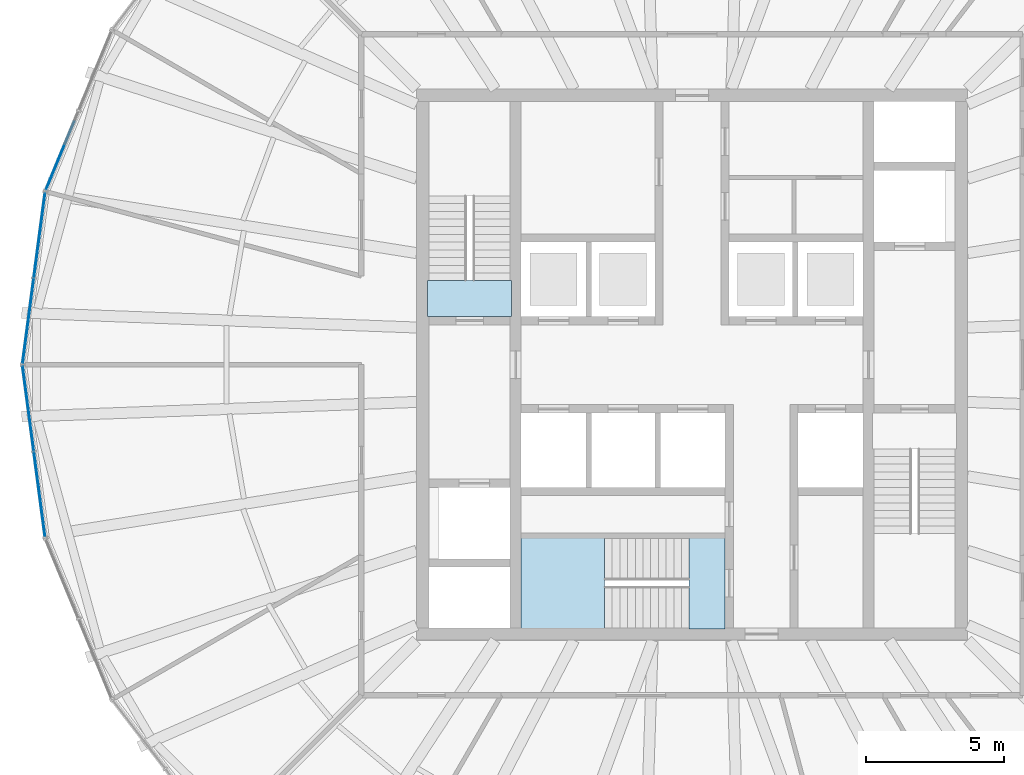
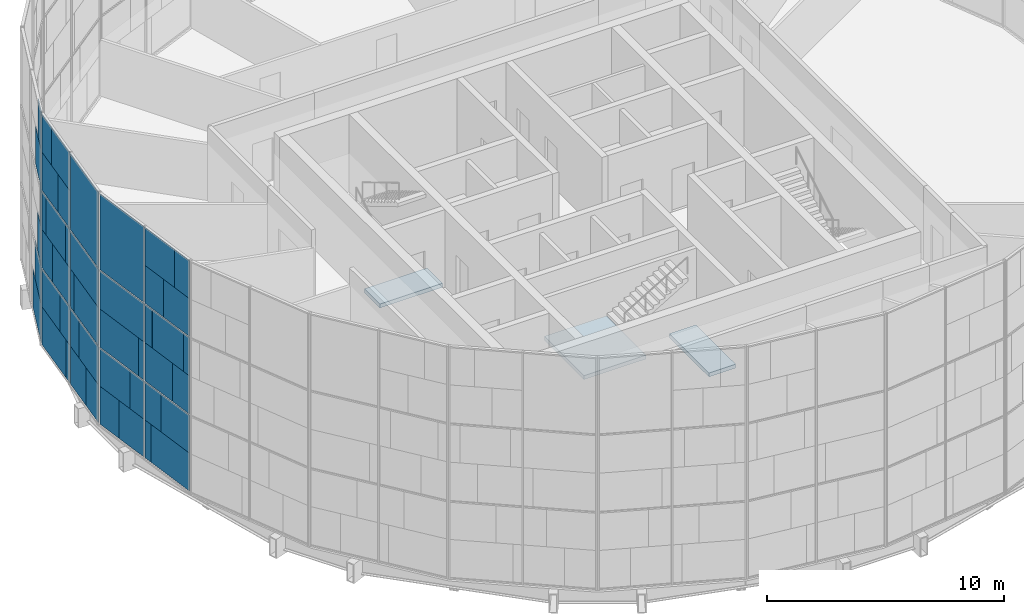
# One storey, part 11 of 22: 48 plates, 3 slabs, 4 elements without a shape of their own.
"""IFC4 building model written with IfcOpenShell, lengths in metres."""

import ifcopenshell
import ifcopenshell.guid

model = None  # the IFC model being written
_history = None  # IfcOwnerHistory: only IFC2X3 demands one
_inside = {}  # id of a spatial element -> (the spatial element, [elements in it])
_under = {}  # id of a project, library or spatial element -> (it, [spatial elements below it])
_declared = {}  # id of a project -> (the project, [libraries it declares])
_typed = {}  # id of a type object -> (the type object, [elements of that type])
_made_of = {}  # id of a material, layer set ... -> (it, [elements and type objects made of it])


def new_model(schema):
    """Start an empty IFC model of exactly this schema.

    Asked for "IFC4X3", IfcOpenShell would pick the latest addendum, in which some entities
    have other attributes; the version numbers below select the first issue.
    IFC2X3 requires an IfcOwnerHistory on every rooted entity: one is made here for all.
    """
    global model, _history
    if schema == "IFC4X3":
        model = ifcopenshell.file(schema_version=(4, 3, 0, 0))
    else:
        model = ifcopenshell.file(schema=schema)
    _inside.clear()
    _under.clear()
    _declared.clear()
    _typed.clear()
    _made_of.clear()
    _history = None
    if model.schema == "IFC2X3":
        org = make("IfcOrganization", Name="unknown")
        user = make(
            "IfcPersonAndOrganization",
            ThePerson=make("IfcPerson", FamilyName="unknown"),
            TheOrganization=org,
        )
        app = make(
            "IfcApplication",
            ApplicationDeveloper=org,
            Version="unknown",
            ApplicationFullName="unknown",
            ApplicationIdentifier="unknown",
        )
        _history = make(
            "IfcOwnerHistory",
            OwningUser=user,
            OwningApplication=app,
            ChangeAction="ADDED",
            CreationDate=0,
        )
    return model


def make(cls, **values):
    """One entity of the class cls with the attributes given. An attribute that is None is left unset."""
    return model.create_entity(
        cls, **{name: value for name, value in values.items() if value is not None}
    )


def rooted(cls, **values):
    """An entity with a GlobalId (a new one), such as an element, a storey or a relation."""
    return make(cls, GlobalId=ifcopenshell.guid.new(), OwnerHistory=_history, **values)


def si_unit(unit_type, name, prefix=None):
    """IfcSIUnit, for example si_unit("LENGTHUNIT", "METRE", prefix="MILLI")."""
    return make("IfcSIUnit", UnitType=unit_type, Prefix=prefix, Name=name)


def assignment(units):
    """IfcUnitAssignment: the units of a project."""
    return None if units is None else make("IfcUnitAssignment", Units=units)


def point(xyz):
    """IfcCartesianPoint."""
    return None if xyz is None else make("IfcCartesianPoint", Coordinates=xyz)


def direction(xyz):
    """IfcDirection."""
    return None if xyz is None else make("IfcDirection", DirectionRatios=xyz)


def frame(location, z_axis=None, x_axis=None):
    """IfcAxis2Placement3D, a coordinate frame: its origin and axes. An axis left out is left unset."""
    return make(
        "IfcAxis2Placement3D",
        Location=point(location),
        Axis=direction(z_axis),
        RefDirection=direction(x_axis),
    )


def frame_2d(location, x_axis=None):
    """IfcAxis2Placement2D, a coordinate frame in the plane: its origin and x axis."""
    return make(
        "IfcAxis2Placement2D", Location=point(location), RefDirection=direction(x_axis)
    )


def origin():
    """The frame at (0, 0, 0) with its axes left unset."""
    return frame((0.0, 0.0, 0.0))


def origin_2d():
    """The frame at (0, 0) in the plane with its x axis left unset."""
    return frame_2d((0.0, 0.0))


def place(relative_to, where):
    """IfcLocalPlacement: puts the frame where relative to a parent placement (None: the world)."""
    return make(
        "IfcLocalPlacement", PlacementRelTo=relative_to, RelativePlacement=where
    )


def context(
    kind, dimensions, precision=None, world=None, true_north=None, identifier=None
):
    """IfcGeometricRepresentationContext, for example the 3D "Model" context."""
    return make(
        "IfcGeometricRepresentationContext",
        ContextIdentifier=identifier,
        ContextType=kind,
        CoordinateSpaceDimension=dimensions,
        Precision=precision,
        WorldCoordinateSystem=world,
        TrueNorth=true_north,
    )


def subcontext(parent, identifier, kind, view, scale=None):
    """IfcGeometricRepresentationSubContext, for example "Body" below "Model"."""
    return make(
        "IfcGeometricRepresentationSubContext",
        ContextIdentifier=identifier,
        ContextType=kind,
        ParentContext=parent,
        TargetScale=scale,
        TargetView=view,
    )


def project(units=None, contexts=None):
    """IfcProject with its units and contexts."""
    return rooted(
        "IfcProject",
        Name="project",
        RepresentationContexts=contexts,
        UnitsInContext=assignment(units),
    )


def spatial(cls, under=None, at=None, **own):
    """A site, building, storey or space (cls), placed at a placement, below another one or the project."""
    s = rooted(cls, ObjectPlacement=at, **own)
    if under is not None:
        _under.setdefault(under.id(), (under, []))[1].append(s)
    return s


def polyline(points):
    """IfcPolyline through the points."""
    return make("IfcPolyline", Points=[point(p) for p in points])


def profile(cls, at=None, kind="AREA", **sizes):
    """A parametric profile (cls). Its sizes go by their IFC names, for example OverallWidth=200.0."""
    return make(cls, ProfileType=kind, Position=at, **sizes)


def rectangle(**sizes):
    """IfcRectangleProfileDef."""
    return profile("IfcRectangleProfileDef", **sizes)


def outline(outer, holes=None, kind="AREA"):
    """IfcArbitraryClosedProfileDef: a profile drawn as a closed curve; with holes, ...WithVoids."""
    if holes is None:
        return make("IfcArbitraryClosedProfileDef", ProfileType=kind, OuterCurve=outer)
    return make(
        "IfcArbitraryProfileDefWithVoids",
        ProfileType=kind,
        OuterCurve=outer,
        InnerCurves=holes,
    )


def extrude(swept, where, along, depth):
    """IfcExtrudedAreaSolid: the profile swept, set in the frame where, extruded along a direction by depth."""
    return make(
        "IfcExtrudedAreaSolid",
        SweptArea=swept,
        Position=where,
        ExtrudedDirection=direction(along),
        Depth=depth,
    )


def shape(context_of_items, identifier, shape_type, items):
    """IfcShapeRepresentation: the items that make up one representation, for example the "Body"."""
    return make(
        "IfcShapeRepresentation",
        ContextOfItems=context_of_items,
        RepresentationIdentifier=identifier,
        RepresentationType=shape_type,
        Items=items,
    )


def material(Name=None, Category=None):
    """IfcMaterial."""
    return make("IfcMaterial", Name=Name, Category=Category)


def layer(
    of_material, thickness, ventilated=None, Name=None, Category=None, Priority=None
):
    """IfcMaterialLayer: one layer of a wall or slab, of a material (None: an air gap)."""
    return make(
        "IfcMaterialLayer",
        Material=of_material,
        LayerThickness=thickness,
        IsVentilated=ventilated,
        Name=Name,
        Category=Category,
        Priority=Priority,
    )


def layer_set(layers, Name=None):
    """IfcMaterialLayerSet."""
    return make("IfcMaterialLayerSet", MaterialLayers=layers, LayerSetName=Name)


def made_of(thing, what):
    """Note that an element or type object is made of a material, layer set ...; save() writes the relation."""
    if what is not None:
        _made_of.setdefault(what.id(), (what, []))[1].append(thing)
    return thing


def type_object(cls, material=None, **own):
    """A type object (cls), such as IfcWallType, which elements share."""
    return made_of(rooted(cls, **own), material)


def element(
    cls,
    number,
    at=None,
    inside=None,
    cuts=None,
    type_object=None,
    material=None,
    context=None,
    identifier="Body",
    shape_type=None,
    held_by="IfcProductDefinitionShape",
    body=None,
    shapes=None,
    **own,
):
    """One element of the class cls, such as IfcWall. Its Tag is "e" and its number.

    at: its placement. inside: the storey or other place that contains it. cuts: it is an
    opening in that element (IfcRelVoidsElement). A single representation is given by context,
    identifier, shape_type and body (its items); several are given by shapes. held_by: the class
    of the entity that holds the representations. save() writes the other relations.
    """
    e = rooted(cls, Tag="e%d" % number, ObjectPlacement=at, **own)
    if body is not None:
        shapes = [shape(context, identifier, shape_type, body)]
    if shapes is not None:
        e.Representation = make(held_by, Representations=shapes)
    if inside is not None:
        _inside.setdefault(inside.id(), (inside, []))[1].append(e)
    if cuts is not None:
        rooted(
            "IfcRelVoidsElement", RelatingBuildingElement=cuts, RelatedOpeningElement=e
        )
    if type_object is not None:
        _typed.setdefault(type_object.id(), (type_object, []))[1].append(e)
    return made_of(e, material)


def aggregate(whole, parts):
    """IfcRelAggregates: a whole, such as a stair, and the parts it consists of."""
    return rooted("IfcRelAggregates", RelatingObject=whole, RelatedObjects=parts)


def save(model, path):
    """Write the relations noted so far, then the file.

    IfcRelAggregates (storeys below a building ...), IfcRelContainedInSpatialStructure (elements
    in a storey), IfcRelDefinesByType, IfcRelAssociatesMaterial and IfcRelDeclares: one each for
    every whole, place, type object, material and project.
    """
    for whole, parts in _under.values():
        aggregate(whole, parts)
    for where, things in _inside.values():
        rooted(
            "IfcRelContainedInSpatialStructure",
            RelatedElements=things,
            RelatingStructure=where,
        )
    for kind, things in _typed.values():
        rooted("IfcRelDefinesByType", RelatedObjects=things, RelatingType=kind)
    for what, things in _made_of.values():
        rooted("IfcRelAssociatesMaterial", RelatedObjects=things, RelatingMaterial=what)
    for by, libraries in _declared.values():
        rooted("IfcRelDeclares", RelatingContext=by, RelatedDefinitions=libraries)
    model.write(path)


model = new_model("IFC4")

# Units and contexts
model_context = context("Model", 3, precision=1e-05, world=origin(), true_north=direction((0.0, 1.0)))
body_context = subcontext(model_context, "Body", "Model", "MODEL_VIEW")
ifc_project = project(units=[si_unit("LENGTHUNIT", "METRE"), si_unit("AREAUNIT", "SQUARE_METRE"), si_unit("VOLUMEUNIT", "CUBIC_METRE"), si_unit("PLANEANGLEUNIT", "RADIAN"), si_unit("MASSUNIT", "GRAM", prefix="KILO")], contexts=[model_context])

# Site, building, storey
site_placement = place(None, origin())
site = spatial("IfcSite", under=ifc_project, at=site_placement, CompositionType="ELEMENT")
building_placement = place(site_placement, origin())
building = spatial("IfcBuilding", under=site, at=building_placement, Name="Golbaran Civic Tower", CompositionType="ELEMENT")
storey_placement = place(building_placement, frame((0.0, 0.0, 155.0)))
storey = spatial("IfcBuildingStorey", under=building, at=storey_placement, Name="L37", CompositionType="ELEMENT", Elevation=155.0)

# Curtain wall, plates
ifc_material_1 = material(Name="Aluminium and glass", Category="aluminium")
curtain_wall_type = type_object("IfcCurtainWallType", Name="INNER SKIN CURTAIN WALL", PredefinedType="NOTDEFINED", material=ifc_material_1)
curtain_wall_1_placement = place(storey_placement, origin())
curtain_wall_1 = element("IfcCurtainWall", 1, at=curtain_wall_1_placement, inside=storey, type_object=curtain_wall_type, Name="Inner skin L37 facet 11 CW1", ObjectType="INNER SKIN", PredefinedType="USERDEFINED")
ifc_material_2 = material(Name="Clear insulating glass", Category="glass")
ifc_layer_1 = layer(ifc_material_2, 0.031982421875, Name="Clear insulating glass")
ifc_layer_set_1 = layer_set([ifc_layer_1], Name="Clear insulating glass")
plate_type_1 = type_object("IfcPlateType", Name="INNER SKIN CURTAIN WALL GLAZED PANEL", PredefinedType="CURTAIN_PANEL", material=ifc_layer_set_1)
plate_1_placement = place(storey_placement, frame((-22.9375, 7.5849609375, 0.06494140625), z_axis=(0.0, 0.0, 1.0), x_axis=(-0.382683432268, -0.923879532551, 0.0)))
plate_1 = element("IfcPlate", 2, at=plate_1_placement, type_object=plate_type_1, Name="CW1 panel 2.1 part 2", PredefinedType="CURTAIN_PANEL", context=body_context, shape_type="SweptSolid", body=[
    extrude(rectangle(XDim=2.673583984375, YDim=0.031982421875, at=origin_2d()), origin(), (0.0, 0.0, 1.0), 1.951171875),
])
plate_2_placement = place(storey_placement, frame((-23.0732421875, 7.25732421875, 2.016357421875), z_axis=(0.0, 0.0, 1.0), x_axis=(-0.382683432268, -0.923879532551, 0.0)))
plate_2 = element("IfcPlate", 3, at=plate_2_placement, type_object=plate_type_1, Name="CW1 panel 2.1 part 4", PredefinedType="CURTAIN_PANEL", context=body_context, shape_type="SweptSolid", body=[
    extrude(rectangle(XDim=1.964599609375, YDim=0.031982421875, at=origin_2d()), origin(), (0.0, 0.0, 1.0), 1.951171875),
])
plate_3_placement = place(storey_placement, frame((-23.223388671875, 6.894775390625, 4.03271484375), z_axis=(0.0, 0.0, 1.0), x_axis=(-0.382683432268, -0.923879532551, 0.0)))
plate_3 = element("IfcPlate", 4, at=plate_3_placement, type_object=plate_type_1, Name="CW1 panel 2.2 part 2", PredefinedType="CURTAIN_PANEL", context=body_context, shape_type="SweptSolid", body=[
    extrude(rectangle(XDim=1.179443359375, YDim=0.031982421875, at=origin_2d()), origin(), (0.0, 0.0, 1.0), 1.967529296875),
])
plate_4_placement = place(storey_placement, frame((-23.368896484375, 6.543701171875, 6.0), z_axis=(0.0, 0.0, 1.0), x_axis=(-0.382683432268, -0.923879532551, 0.0)))
plate_4 = element("IfcPlate", 5, at=plate_4_placement, type_object=plate_type_1, Name="CW1 panel 2.2 part 5", PredefinedType="CURTAIN_PANEL", context=body_context, shape_type="SweptSolid", body=[
    extrude(rectangle(XDim=0.41943359375, YDim=0.031982421875, at=origin_2d()), origin(), (0.0, 0.0, 1.0), 1.967529296875),
])

curtain_wall_2_placement = place(storey_placement, origin())
curtain_wall_2 = element("IfcCurtainWall", 6, at=curtain_wall_2_placement, inside=storey, type_object=curtain_wall_type, Name="Inner skin L37 facet 12 CW1", ObjectType="INNER SKIN", PredefinedType="USERDEFINED")
plate_5_placement = place(storey_placement, frame((-23.656982421875, 4.900390625, 0.06494140625), z_axis=(0.0, 0.0, 1.0), x_axis=(-0.130526192289, -0.991444861365, 0.0)))
plate_5 = element("IfcPlate", 7, at=plate_5_placement, type_object=plate_type_1, Name="CW1 panel 1.1 part 1", PredefinedType="CURTAIN_PANEL", context=body_context, shape_type="SweptSolid", body=[
    extrude(rectangle(XDim=2.673095703125, YDim=0.031982421875, at=origin_2d()), origin(), (0.0, 0.0, 1.0), 1.951171875),
])
plate_6_placement = place(storey_placement, frame((-23.610595703125, 5.251708984375, 2.016357421875), z_axis=(0.0, 0.0, 1.0), x_axis=(-0.130526192289, -0.991444861365, 0.0)))
plate_6 = element("IfcPlate", 8, at=plate_6_placement, type_object=plate_type_1, Name="CW1 panel 1.1 part 3", PredefinedType="CURTAIN_PANEL", context=body_context, shape_type="SweptSolid", body=[
    extrude(rectangle(XDim=1.964111328125, YDim=0.031982421875, at=origin_2d()), origin(), (0.0, 0.0, 1.0), 1.951171875),
])
plate_7_placement = place(storey_placement, frame((-23.559326171875, 5.640380859375, 4.03271484375), z_axis=(0.0, 0.0, 1.0), x_axis=(-0.130526192289, -0.991444861365, 0.0)))
plate_7 = element("IfcPlate", 9, at=plate_7_placement, type_object=plate_type_1, Name="CW1 panel 1.2 part 1", PredefinedType="CURTAIN_PANEL", context=body_context, shape_type="SweptSolid", body=[
    extrude(rectangle(XDim=1.179931640625, YDim=0.031982421875, at=origin_2d()), origin(), (0.0, 0.0, 1.0), 1.967529296875),
])
plate_8_placement = place(storey_placement, frame((-23.509765625, 6.01708984375, 6.0), z_axis=(0.0, 0.0, 1.0), x_axis=(-0.130526192289, -0.991444861365, 0.0)))
plate_8 = element("IfcPlate", 10, at=plate_8_placement, type_object=plate_type_1, Name="CW1 panel 1.2 part 3", PredefinedType="CURTAIN_PANEL", context=body_context, shape_type="SweptSolid", body=[
    extrude(rectangle(XDim=0.419921875, YDim=0.031982421875, at=origin_2d()), origin(), (0.0, 0.0, 1.0), 1.967529296875),
])
plate_9_placement = place(storey_placement, frame((-23.851318359375, 3.42333984375, 6.0), z_axis=(0.0, 0.0, 1.0), x_axis=(-0.130526192289, -0.991444861365, 0.0)))
plate_9 = element("IfcPlate", 11, at=plate_9_placement, type_object=plate_type_1, Name="CW1 panel 1.2 part 5", PredefinedType="CURTAIN_PANEL", context=body_context, shape_type="SweptSolid", body=[
    extrude(rectangle(XDim=0.49658203125, YDim=0.031982421875, at=origin_2d()), origin(), (0.0, 0.0, 1.0), 1.967529296875),
])
plate_10_placement = place(storey_placement, frame((-23.800048828125, 3.8125, 8.032470703125), z_axis=(0.0, 0.0, 1.0), x_axis=(-0.130526192289, -0.991444861365, 0.0)))
plate_10 = element("IfcPlate", 12, at=plate_10_placement, type_object=plate_type_1, Name="CW1 panel 1.3 part 2", PredefinedType="CURTAIN_PANEL", context=body_context, shape_type="SweptSolid", body=[
    extrude(rectangle(XDim=1.281494140625, YDim=0.031982421875, at=origin_2d()), origin(), (0.0, 0.0, 1.0), 1.951171875),
])
plate_11_placement = place(storey_placement, frame((-23.7509765625, 4.186279296875, 9.98388671875), z_axis=(0.0, 0.0, 1.0), x_axis=(-0.130526192289, -0.991444861365, 0.0)))
plate_11 = element("IfcPlate", 13, at=plate_11_placement, type_object=plate_type_1, Name="CW1 panel 1.3 part 4", PredefinedType="CURTAIN_PANEL", context=body_context, shape_type="SweptSolid", body=[
    extrude(rectangle(XDim=2.03564453125, YDim=0.031982421875, at=origin_2d()), origin(), (0.0, 0.0, 1.0), 1.951171875),
])
plate_12_placement = place(storey_placement, frame((-24.205810546875, 0.73095703125, 0.06494140625), z_axis=(0.0, 0.0, 1.0), x_axis=(-0.130526192289, -0.991444861365, 0.0)))
plate_12 = element("IfcPlate", 14, at=plate_12_placement, type_object=plate_type_1, Name="CW1 panel 2.1 part 2", PredefinedType="CURTAIN_PANEL", context=body_context, shape_type="SweptSolid", body=[
    extrude(rectangle(XDim=1.344482421875, YDim=0.031982421875, at=origin_2d()), origin(), (0.0, 0.0, 1.0), 1.951171875),
])
plate_13_placement = place(storey_placement, frame((-24.156494140625, 1.104736328125, 2.016357421875), z_axis=(0.0, 0.0, 1.0), x_axis=(-0.130526192289, -0.991444861365, 0.0)))
plate_13 = element("IfcPlate", 15, at=plate_13_placement, type_object=plate_type_1, Name="CW1 panel 2.1 part 4", PredefinedType="CURTAIN_PANEL", context=body_context, shape_type="SweptSolid", body=[
    extrude(rectangle(XDim=2.0986328125, YDim=0.031982421875, at=origin_2d()), origin(), (0.0, 0.0, 1.0), 1.951171875),
])
plate_14_placement = place(storey_placement, frame((-24.118896484375, 1.390380859375, 4.03271484375), z_axis=(0.0, 0.0, 1.0), x_axis=(-0.130526192289, -0.991444861365, 0.0)))
plate_14 = element("IfcPlate", 16, at=plate_14_placement, type_object=plate_type_1, Name="CW1 panel 2.2 part 2", PredefinedType="CURTAIN_PANEL", context=body_context, shape_type="SweptSolid", body=[
    extrude(rectangle(XDim=2.674560546875, YDim=0.031982421875, at=origin_2d()), origin(), (0.0, 0.0, 1.0), 1.967529296875),
])
plate_15_placement = place(storey_placement, frame((-24.0927734375, 1.588623046875, 6.0), z_axis=(0.0, 0.0, 1.0), x_axis=(-0.130526192289, -0.991444861365, 0.0)))
plate_15 = element("IfcPlate", 17, at=plate_15_placement, type_object=plate_type_1, Name="CW1 panel 2.2 part 3", PredefinedType="CURTAIN_PANEL", context=body_context, shape_type="SweptSolid", body=[
    extrude(rectangle(XDim=3.074462890625, YDim=0.031982421875, at=origin_2d()), origin(), (0.0, 0.0, 1.0), 1.967529296875),
])
plate_16_placement = place(storey_placement, frame((-24.0927734375, 1.588623046875, 8.0322265625), z_axis=(0.0, 0.0, 1.0), x_axis=(-0.130526192289, -0.991444861365, 0.0)))
plate_16 = element("IfcPlate", 18, at=plate_16_placement, type_object=plate_type_1, Name="CW1 panel 2.3", PredefinedType="CURTAIN_PANEL", context=body_context, shape_type="SweptSolid", body=[
    extrude(rectangle(XDim=3.074462890625, YDim=0.031982421875, at=origin_2d()), origin(), (0.0, 0.0, 1.0), 3.902587890625),
])

curtain_wall_3_placement = place(storey_placement, origin())
curtain_wall_3 = element("IfcCurtainWall", 19, at=curtain_wall_3_placement, inside=storey, type_object=curtain_wall_type, Name="Inner skin L37 facet 13 CW1", ObjectType="INNER SKIN", PredefinedType="USERDEFINED")
plate_17_placement = place(storey_placement, frame((-24.205810546875, -0.731201171875, 0.06494140625), z_axis=(0.0, 0.0, 1.0), x_axis=(0.130526192289, -0.991444861365, 0.0)))
plate_17 = element("IfcPlate", 20, at=plate_17_placement, type_object=plate_type_1, Name="CW1 panel 1.1 part 1", PredefinedType="CURTAIN_PANEL", context=body_context, shape_type="SweptSolid", body=[
    extrude(rectangle(XDim=1.344970703125, YDim=0.031982421875, at=origin_2d()), origin(), (0.0, 0.0, 1.0), 1.951171875),
])
plate_18_placement = place(storey_placement, frame((-24.156494140625, -1.1044921875, 2.016357421875), z_axis=(0.0, 0.0, 1.0), x_axis=(0.130526192289, -0.991444861365, 0.0)))
plate_18 = element("IfcPlate", 21, at=plate_18_placement, type_object=plate_type_1, Name="CW1 panel 1.1 part 3", PredefinedType="CURTAIN_PANEL", context=body_context, shape_type="SweptSolid", body=[
    extrude(rectangle(XDim=2.097900390625, YDim=0.031982421875, at=origin_2d()), origin(), (0.0, 0.0, 1.0), 1.951171875),
])
plate_19_placement = place(storey_placement, frame((-24.119140625, -1.389404296875, 4.03271484375), z_axis=(0.0, 0.0, 1.0), x_axis=(0.130526192289, -0.991444861365, 0.0)))
plate_19 = element("IfcPlate", 22, at=plate_19_placement, type_object=plate_type_1, Name="CW1 panel 1.2 part 1", PredefinedType="CURTAIN_PANEL", context=body_context, shape_type="SweptSolid", body=[
    extrude(rectangle(XDim=2.673095703125, YDim=0.031982421875, at=origin_2d()), origin(), (0.0, 0.0, 1.0), 1.967529296875),
])
plate_20_placement = place(storey_placement, frame((-24.0927734375, -1.588623046875, 6.0), z_axis=(0.0, 0.0, 1.0), x_axis=(0.130526192289, -0.991444861365, 0.0)))
plate_20 = element("IfcPlate", 23, at=plate_20_placement, type_object=plate_type_1, Name="CW1 panel 1.2 part 3", PredefinedType="CURTAIN_PANEL", context=body_context, shape_type="SweptSolid", body=[
    extrude(rectangle(XDim=3.074462890625, YDim=0.031982421875, at=origin_2d()), origin(), (0.0, 0.0, 1.0), 1.967529296875),
])
plate_21_placement = place(storey_placement, frame((-24.0927734375, -1.588623046875, 8.0322265625), z_axis=(0.0, 0.0, 1.0), x_axis=(0.130526192289, -0.991444861365, 0.0)))
plate_21 = element("IfcPlate", 24, at=plate_21_placement, type_object=plate_type_1, Name="CW1 panel 1.3", PredefinedType="CURTAIN_PANEL", context=body_context, shape_type="SweptSolid", body=[
    extrude(rectangle(XDim=3.074462890625, YDim=0.031982421875, at=origin_2d()), origin(), (0.0, 0.0, 1.0), 3.902587890625),
])
plate_22_placement = place(storey_placement, frame((-23.656982421875, -4.900146484375, 0.06494140625), z_axis=(0.0, 0.0, 1.0), x_axis=(0.130526192289, -0.991444861365, 0.0)))
plate_22 = element("IfcPlate", 25, at=plate_22_placement, type_object=plate_type_1, Name="CW1 panel 2.1 part 2", PredefinedType="CURTAIN_PANEL", context=body_context, shape_type="SweptSolid", body=[
    extrude(rectangle(XDim=2.673583984375, YDim=0.031982421875, at=origin_2d()), origin(), (0.0, 0.0, 1.0), 1.951171875),
])
plate_23_placement = place(storey_placement, frame((-23.610595703125, -5.25146484375, 2.016357421875), z_axis=(0.0, 0.0, 1.0), x_axis=(0.130526192289, -0.991444861365, 0.0)))
plate_23 = element("IfcPlate", 26, at=plate_23_placement, type_object=plate_type_1, Name="CW1 panel 2.1 part 4", PredefinedType="CURTAIN_PANEL", context=body_context, shape_type="SweptSolid", body=[
    extrude(rectangle(XDim=1.964599609375, YDim=0.031982421875, at=origin_2d()), origin(), (0.0, 0.0, 1.0), 1.951171875),
])
plate_24_placement = place(storey_placement, frame((-23.559326171875, -5.640625, 4.03271484375), z_axis=(0.0, 0.0, 1.0), x_axis=(0.130526192289, -0.991444861365, 0.0)))
plate_24 = element("IfcPlate", 27, at=plate_24_placement, type_object=plate_type_1, Name="CW1 panel 2.2 part 2", PredefinedType="CURTAIN_PANEL", context=body_context, shape_type="SweptSolid", body=[
    extrude(rectangle(XDim=1.179443359375, YDim=0.031982421875, at=origin_2d()), origin(), (0.0, 0.0, 1.0), 1.967529296875),
])
plate_25_placement = place(storey_placement, frame((-23.851318359375, -3.423583984375, 6.0), z_axis=(0.0, 0.0, 1.0), x_axis=(0.130526192289, -0.991444861365, 0.0)))
plate_25 = element("IfcPlate", 28, at=plate_25_placement, type_object=plate_type_1, Name="CW1 panel 2.2 part 3", PredefinedType="CURTAIN_PANEL", context=body_context, shape_type="SweptSolid", body=[
    extrude(rectangle(XDim=0.4970703125, YDim=0.031982421875, at=origin_2d()), origin(), (0.0, 0.0, 1.0), 1.967529296875),
])
plate_26_placement = place(storey_placement, frame((-23.509765625, -6.017333984375, 6.0), z_axis=(0.0, 0.0, 1.0), x_axis=(0.130526192289, -0.991444861365, 0.0)))
plate_26 = element("IfcPlate", 29, at=plate_26_placement, type_object=plate_type_1, Name="CW1 panel 2.2 part 5", PredefinedType="CURTAIN_PANEL", context=body_context, shape_type="SweptSolid", body=[
    extrude(rectangle(XDim=0.41943359375, YDim=0.031982421875, at=origin_2d()), origin(), (0.0, 0.0, 1.0), 1.967529296875),
])
plate_27_placement = place(storey_placement, frame((-23.800048828125, -3.812744140625, 8.032470703125), z_axis=(0.0, 0.0, 1.0), x_axis=(0.130526192289, -0.991444861365, 0.0)))
plate_27 = element("IfcPlate", 30, at=plate_27_placement, type_object=plate_type_1, Name="CW1 panel 2.3 part 1", PredefinedType="CURTAIN_PANEL", context=body_context, shape_type="SweptSolid", body=[
    extrude(rectangle(XDim=1.281982421875, YDim=0.031982421875, at=origin_2d()), origin(), (0.0, 0.0, 1.0), 1.951171875),
])
plate_28_placement = place(storey_placement, frame((-23.7509765625, -4.18603515625, 9.98388671875), z_axis=(0.0, 0.0, 1.0), x_axis=(0.130526192289, -0.991444861365, 0.0)))
plate_28 = element("IfcPlate", 31, at=plate_28_placement, type_object=plate_type_1, Name="CW1 panel 2.3 part 3", PredefinedType="CURTAIN_PANEL", context=body_context, shape_type="SweptSolid", body=[
    extrude(rectangle(XDim=2.034912109375, YDim=0.031982421875, at=origin_2d()), origin(), (0.0, 0.0, 1.0), 1.951171875),
])

# Plate
ifc_material_3 = material(Name="Aluminium faced opaque infill panel", Category="aluminium")
ifc_layer_2 = layer(ifc_material_3, 0.031982421875, Name="Aluminium faced opaque infill panel")
ifc_layer_set_2 = layer_set([ifc_layer_2], Name="Aluminium faced opaque infill panel")
plate_type_2 = type_object("IfcPlateType", Name="INNER SKIN CURTAIN WALL OPAQUE INFILL PANEL", PredefinedType="CURTAIN_PANEL", material=ifc_layer_set_2)
plate_29_placement = place(storey_placement, frame((-23.10595703125, 7.177978515625, 8.032470703125), z_axis=(0.0, 0.0, 1.0), x_axis=(-0.382683432268, -0.923879532551, 0.0)))
plate_29 = element("IfcPlate", 32, at=plate_29_placement, type_object=plate_type_2, Name="CW1 infill panel 2.3 part 2", PredefinedType="CURTAIN_PANEL", context=body_context, shape_type="SweptSolid", body=[
    extrude(rectangle(XDim=1.79248046875, YDim=0.031982421875, at=origin_2d()), origin(), (0.0, 0.0, 1.0), 1.951171875),
])

plate_30_placement = place(storey_placement, frame((-23.250244140625, 6.830078125, 9.98388671875), z_axis=(0.0, 0.0, 1.0), x_axis=(-0.382683432268, -0.923879532551, 0.0)))
plate_30 = element("IfcPlate", 33, at=plate_30_placement, type_object=plate_type_2, Name="CW1 infill panel 2.3 part 4", PredefinedType="CURTAIN_PANEL", context=body_context, shape_type="SweptSolid", body=[
    extrude(rectangle(XDim=1.03955078125, YDim=0.031982421875, at=origin_2d()), origin(), (0.0, 0.0, 1.0), 1.951171875),
])

aggregate(curtain_wall_1, [plate_1, plate_2, plate_3, plate_4, plate_29, plate_30])

plate_31_placement = place(storey_placement, frame((-23.857421875, 3.376220703125, 0.06494140625), z_axis=(0.0, 0.0, 1.0), x_axis=(-0.130526192289, -0.991444861365, 0.0)))
plate_31 = element("IfcPlate", 34, at=plate_31_placement, type_object=plate_type_2, Name="CW1 infill panel 1.1 part 2", PredefinedType="CURTAIN_PANEL", context=body_context, shape_type="SweptSolid", body=[
    extrude(rectangle(XDim=0.401611328125, YDim=0.031982421875, at=origin_2d()), origin(), (0.0, 0.0, 1.0), 1.951171875),
])

plate_32_placement = place(storey_placement, frame((-23.811279296875, 3.7275390625, 2.016357421875), z_axis=(0.0, 0.0, 1.0), x_axis=(-0.130526192289, -0.991444861365, 0.0)))
plate_32 = element("IfcPlate", 35, at=plate_32_placement, type_object=plate_type_2, Name="CW1 infill panel 1.1 part 4", PredefinedType="CURTAIN_PANEL", context=body_context, shape_type="SweptSolid", body=[
    extrude(rectangle(XDim=1.110595703125, YDim=0.031982421875, at=origin_2d()), origin(), (0.0, 0.0, 1.0), 1.951171875),
])

plate_33_placement = place(storey_placement, frame((-23.760009765625, 4.1162109375, 4.03271484375), z_axis=(0.0, 0.0, 1.0), x_axis=(-0.130526192289, -0.991444861365, 0.0)))
plate_33 = element("IfcPlate", 36, at=plate_33_placement, type_object=plate_type_2, Name="CW1 infill panel 1.2 part 2", PredefinedType="CURTAIN_PANEL", context=body_context, shape_type="SweptSolid", body=[
    extrude(rectangle(XDim=1.89453125, YDim=0.031982421875, at=origin_2d()), origin(), (0.0, 0.0, 1.0), 1.967529296875),
])

plate_34_placement = place(storey_placement, frame((-23.677978515625, 4.7392578125, 6.0), z_axis=(0.0, 0.0, 1.0), x_axis=(-0.130526192289, -0.991444861365, 0.0)))
plate_34 = element("IfcPlate", 37, at=plate_34_placement, type_object=plate_type_2, Name="CW1 infill panel 1.2 part 4", PredefinedType="CURTAIN_PANEL", context=body_context, shape_type="SweptSolid", body=[
    extrude(rectangle(XDim=2.157958984375, YDim=0.031982421875, at=origin_2d()), origin(), (0.0, 0.0, 1.0), 1.967529296875),
])

plate_35_placement = place(storey_placement, frame((-23.599365234375, 5.33642578125, 8.032470703125), z_axis=(0.0, 0.0, 1.0), x_axis=(-0.130526192289, -0.991444861365, 0.0)))
plate_35 = element("IfcPlate", 38, at=plate_35_placement, type_object=plate_type_2, Name="CW1 infill panel 1.3 part 1", PredefinedType="CURTAIN_PANEL", context=body_context, shape_type="SweptSolid", body=[
    extrude(rectangle(XDim=1.79296875, YDim=0.031982421875, at=origin_2d()), origin(), (0.0, 0.0, 1.0), 1.951171875),
])

plate_36_placement = place(storey_placement, frame((-23.55029296875, 5.710205078125, 9.98388671875), z_axis=(0.0, 0.0, 1.0), x_axis=(-0.130526192289, -0.991444861365, 0.0)))
plate_36 = element("IfcPlate", 39, at=plate_36_placement, type_object=plate_type_2, Name="CW1 infill panel 1.3 part 3", PredefinedType="CURTAIN_PANEL", context=body_context, shape_type="SweptSolid", body=[
    extrude(rectangle(XDim=1.0390625, YDim=0.031982421875, at=origin_2d()), origin(), (0.0, 0.0, 1.0), 1.951171875),
])

plate_37_placement = place(storey_placement, frame((-24.005126953125, 2.255126953125, 0.06494140625), z_axis=(0.0, 0.0, 1.0), x_axis=(-0.130526192289, -0.991444861365, 0.0)))
plate_37 = element("IfcPlate", 40, at=plate_37_placement, type_object=plate_type_2, Name="CW1 infill panel 2.1 part 1", PredefinedType="CURTAIN_PANEL", context=body_context, shape_type="SweptSolid", body=[
    extrude(rectangle(XDim=1.72998046875, YDim=0.031982421875, at=origin_2d()), origin(), (0.0, 0.0, 1.0), 1.951171875),
])

plate_38_placement = place(storey_placement, frame((-23.955810546875, 2.62890625, 2.016357421875), z_axis=(0.0, 0.0, 1.0), x_axis=(-0.130526192289, -0.991444861365, 0.0)))
plate_38 = element("IfcPlate", 41, at=plate_38_placement, type_object=plate_type_2, Name="CW1 infill panel 2.1 part 3", PredefinedType="CURTAIN_PANEL", context=body_context, shape_type="SweptSolid", body=[
    extrude(rectangle(XDim=0.97607421875, YDim=0.031982421875, at=origin_2d()), origin(), (0.0, 0.0, 1.0), 1.951171875),
])

plate_39_placement = place(storey_placement, frame((-23.918212890625, 2.914306640625, 4.03271484375), z_axis=(0.0, 0.0, 1.0), x_axis=(-0.130526192289, -0.991444861365, 0.0)))
plate_39 = element("IfcPlate", 42, at=plate_39_placement, type_object=plate_type_2, Name="CW1 infill panel 2.2 part 1", PredefinedType="CURTAIN_PANEL", context=body_context, shape_type="SweptSolid", body=[
    extrude(rectangle(XDim=0.39990234375, YDim=0.031982421875, at=origin_2d()), origin(), (0.0, 0.0, 1.0), 1.967529296875),
])

aggregate(curtain_wall_2, [plate_5, plate_31, plate_6, plate_32, plate_7, plate_33, plate_8, plate_34, plate_9, plate_35, plate_10, plate_36, plate_11, plate_37, plate_12, plate_38, plate_13, plate_39, plate_14, plate_15, plate_16])

plate_40_placement = place(storey_placement, frame((-24.005126953125, -2.25537109375, 0.06494140625), z_axis=(0.0, 0.0, 1.0), x_axis=(0.130526192289, -0.991444861365, 0.0)))
plate_40 = element("IfcPlate", 43, at=plate_40_placement, type_object=plate_type_2, Name="CW1 infill panel 1.1 part 2", PredefinedType="CURTAIN_PANEL", context=body_context, shape_type="SweptSolid", body=[
    extrude(rectangle(XDim=1.7294921875, YDim=0.031982421875, at=origin_2d()), origin(), (0.0, 0.0, 1.0), 1.951171875),
])

plate_41_placement = place(storey_placement, frame((-23.9560546875, -2.628662109375, 2.016357421875), z_axis=(0.0, 0.0, 1.0), x_axis=(0.130526192289, -0.991444861365, 0.0)))
plate_41 = element("IfcPlate", 44, at=plate_41_placement, type_object=plate_type_2, Name="CW1 infill panel 1.1 part 4", PredefinedType="CURTAIN_PANEL", context=body_context, shape_type="SweptSolid", body=[
    extrude(rectangle(XDim=0.9765625, YDim=0.031982421875, at=origin_2d()), origin(), (0.0, 0.0, 1.0), 1.951171875),
])

plate_42_placement = place(storey_placement, frame((-23.91845703125, -2.91357421875, 4.03271484375), z_axis=(0.0, 0.0, 1.0), x_axis=(0.130526192289, -0.991444861365, 0.0)))
plate_42 = element("IfcPlate", 45, at=plate_42_placement, type_object=plate_type_2, Name="CW1 infill panel 1.2 part 2", PredefinedType="CURTAIN_PANEL", context=body_context, shape_type="SweptSolid", body=[
    extrude(rectangle(XDim=0.401611328125, YDim=0.031982421875, at=origin_2d()), origin(), (0.0, 0.0, 1.0), 1.967529296875),
])

plate_43_placement = place(storey_placement, frame((-23.857666015625, -3.3759765625, 0.06494140625), z_axis=(0.0, 0.0, 1.0), x_axis=(0.130526192289, -0.991444861365, 0.0)))
plate_43 = element("IfcPlate", 46, at=plate_43_placement, type_object=plate_type_2, Name="CW1 infill panel 2.1 part 1", PredefinedType="CURTAIN_PANEL", context=body_context, shape_type="SweptSolid", body=[
    extrude(rectangle(XDim=0.40087890625, YDim=0.031982421875, at=origin_2d()), origin(), (0.0, 0.0, 1.0), 1.951171875),
])

plate_44_placement = place(storey_placement, frame((-23.811279296875, -3.727294921875, 2.016357421875), z_axis=(0.0, 0.0, 1.0), x_axis=(0.130526192289, -0.991444861365, 0.0)))
plate_44 = element("IfcPlate", 47, at=plate_44_placement, type_object=plate_type_2, Name="CW1 infill panel 2.1 part 3", PredefinedType="CURTAIN_PANEL", context=body_context, shape_type="SweptSolid", body=[
    extrude(rectangle(XDim=1.110107421875, YDim=0.031982421875, at=origin_2d()), origin(), (0.0, 0.0, 1.0), 1.951171875),
])

plate_45_placement = place(storey_placement, frame((-23.760009765625, -4.116455078125, 4.03271484375), z_axis=(0.0, 0.0, 1.0), x_axis=(0.130526192289, -0.991444861365, 0.0)))
plate_45 = element("IfcPlate", 48, at=plate_45_placement, type_object=plate_type_2, Name="CW1 infill panel 2.2 part 1", PredefinedType="CURTAIN_PANEL", context=body_context, shape_type="SweptSolid", body=[
    extrude(rectangle(XDim=1.89501953125, YDim=0.031982421875, at=origin_2d()), origin(), (0.0, 0.0, 1.0), 1.967529296875),
])

plate_46_placement = place(storey_placement, frame((-23.677978515625, -4.73974609375, 6.0), z_axis=(0.0, 0.0, 1.0), x_axis=(0.130526192289, -0.991444861365, 0.0)))
plate_46 = element("IfcPlate", 49, at=plate_46_placement, type_object=plate_type_2, Name="CW1 infill panel 2.2 part 4", PredefinedType="CURTAIN_PANEL", context=body_context, shape_type="SweptSolid", body=[
    extrude(rectangle(XDim=2.157958984375, YDim=0.031982421875, at=origin_2d()), origin(), (0.0, 0.0, 1.0), 1.967529296875),
])

plate_47_placement = place(storey_placement, frame((-23.599365234375, -5.336669921875, 8.032470703125), z_axis=(0.0, 0.0, 1.0), x_axis=(0.130526192289, -0.991444861365, 0.0)))
plate_47 = element("IfcPlate", 50, at=plate_47_placement, type_object=plate_type_2, Name="CW1 infill panel 2.3 part 2", PredefinedType="CURTAIN_PANEL", context=body_context, shape_type="SweptSolid", body=[
    extrude(rectangle(XDim=1.79248046875, YDim=0.031982421875, at=origin_2d()), origin(), (0.0, 0.0, 1.0), 1.951171875),
])

plate_48_placement = place(storey_placement, frame((-23.55029296875, -5.7099609375, 9.98388671875), z_axis=(0.0, 0.0, 1.0), x_axis=(0.130526192289, -0.991444861365, 0.0)))
plate_48 = element("IfcPlate", 51, at=plate_48_placement, type_object=plate_type_2, Name="CW1 infill panel 2.3 part 4", PredefinedType="CURTAIN_PANEL", context=body_context, shape_type="SweptSolid", body=[
    extrude(rectangle(XDim=1.03955078125, YDim=0.031982421875, at=origin_2d()), origin(), (0.0, 0.0, 1.0), 1.951171875),
])

aggregate(curtain_wall_3, [plate_17, plate_40, plate_18, plate_41, plate_19, plate_42, plate_20, plate_21, plate_43, plate_22, plate_44, plate_23, plate_45, plate_24, plate_25, plate_46, plate_26, plate_27, plate_47, plate_28, plate_48])

# Slab
ifc_material_4 = material(Name="Concrete C35/45", Category="concrete")
ifc_layer_3 = layer(ifc_material_4, 0.199951171875, Name="Concrete C35/45")
ifc_layer_set_3 = layer_set([ifc_layer_3], Name="Concrete C35/45")
slab_type = type_object("IfcSlabType", Name="STAIR LANDING 200", PredefinedType="LANDING", material=ifc_layer_set_3)
slab_1_placement = place(storey_placement, frame((0.0, 0.0, -0.199951171875)))
element("IfcSlab", 52, at=slab_1_placement, inside=storey, type_object=slab_type, Name="Stair S1 floor landing L37", PredefinedType="LANDING", context=body_context, shape_type="SweptSolid", body=[
    extrude(outline(polyline([(-9.60009765625, 1.75), (-9.60009765625, 3.054931640625), (-6.550048828125, 3.054931640625), (-6.550048828125, 1.75), (-9.60009765625, 1.75)])), origin(), (0.0, 0.0, 1.0), 0.199951171875),
])

# Stair, slab
stair_type = type_object("IfcStairType", Name="EXIT STAIR 3250 x 7400, 4000 RISE", PredefinedType="HALF_TURN_STAIR", material=ifc_material_4)
stair_placement = place(storey_placement, origin())
stair = element("IfcStair", 53, at=stair_placement, inside=storey, type_object=stair_type, Name="Stair S3 L37", PredefinedType="HALF_TURN_STAIR")
slab_2_placement = place(storey_placement, frame((0.0, 0.0, 1.800048828125)))
slab_2 = element("IfcSlab", 54, at=slab_2_placement, type_object=slab_type, Name="ST32574-40 landing 1", PredefinedType="LANDING", context=body_context, shape_type="SweptSolid", body=[
    extrude(outline(polyline([(-3.175048828125, -9.60009765625), (-6.199951171875, -9.60009765625), (-6.199951171875, -6.25), (-3.175048828125, -6.25), (-3.175048828125, -9.60009765625)])), origin(), (0.0, 0.0, 1.0), 0.199951171875),
])
aggregate(stair, [slab_2])

# Slab
slab_3_placement = place(storey_placement, frame((0.0, 0.0, -0.199951171875)))
element("IfcSlab", 55, at=slab_3_placement, inside=storey, type_object=slab_type, Name="Stair S3 floor landing L37", PredefinedType="LANDING", context=body_context, shape_type="SweptSolid", body=[
    extrude(outline(polyline([(1.199951171875, -9.60009765625), (-0.10498046875, -9.60009765625), (-0.10498046875, -6.25), (1.199951171875, -6.25), (1.199951171875, -9.60009765625)])), origin(), (0.0, 0.0, 1.0), 0.199951171875),
])

save(model, "model.ifc")
